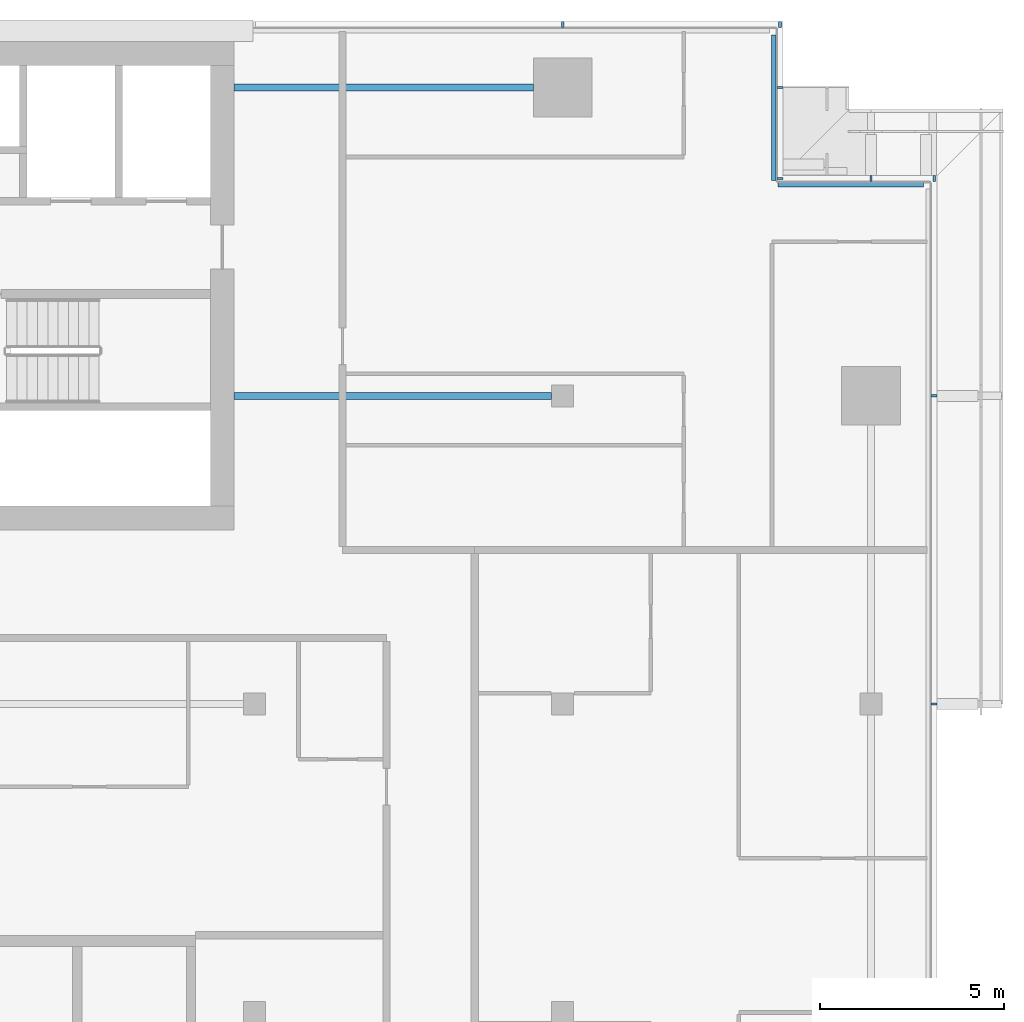
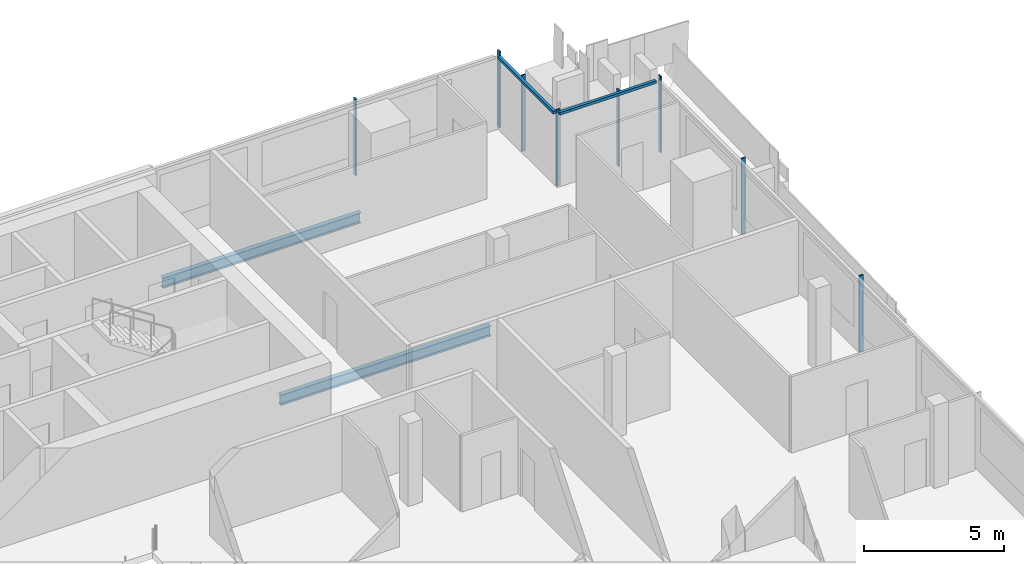
# One storey, part 13 of 30: 10 members, 2 beams, 4 elements without a shape of their own.
"""IFC4 building model written with IfcOpenShell, lengths in metres."""

from ifc_helpers import new_model, si_unit, direction, frame, origin, origin_2d, place, context, subcontext, project, spatial, rectangle, i_section, extrude, material, material_profile, profile_set, type_object, element, aggregate, save


model = new_model("IFC4")

# Units and contexts
model_context = context("Model", 3, precision=1e-05, world=origin(), true_north=direction((0.0, 1.0)))
body_context = subcontext(model_context, "Body", "Model", "MODEL_VIEW")
ifc_project = project(units=[si_unit("LENGTHUNIT", "METRE"), si_unit("AREAUNIT", "SQUARE_METRE"), si_unit("VOLUMEUNIT", "CUBIC_METRE"), si_unit("PLANEANGLEUNIT", "RADIAN"), si_unit("MASSUNIT", "GRAM", prefix="KILO")], contexts=[model_context])

# Site, building, storey
site_placement = place(None, origin())
site = spatial("IfcSite", under=ifc_project, at=site_placement, CompositionType="ELEMENT")
building_placement = place(site_placement, origin())
building = spatial("IfcBuilding", under=site, at=building_placement, Name="Saffron Gate Tower", CompositionType="ELEMENT")
storey_placement = place(building_placement, frame((0.0, 0.0, 245.10009765625)))
storey = spatial("IfcBuildingStorey", under=building, at=storey_placement, Name="L60", CompositionType="ELEMENT", Elevation=245.10009765625)

# Beams
ifc_material_1 = material(Name="Structural steel S355", Category="steel")
ifc_material_profile_1 = material_profile(ifc_material_1, i_section(OverallWidth=0.18994140625, OverallDepth=0.449951171875, WebThickness=0.009521484375, FlangeThickness=0.0146484375, FilletRadius=0.02099609375, at=origin_2d()))
ifc_profile_set_1 = profile_set([ifc_material_profile_1], Name="Structural steel S355")
beam_type = type_object("IfcBeamType", Name="B6 IPE 450", PredefinedType="BEAM", material=ifc_profile_set_1)
beam_1_placement = place(storey_placement, frame((116.699951171875, 65.39990234375, -0.505126953125), z_axis=(-1.0, 0.0, 0.0), x_axis=(0.0, -1.0, 0.0)))
element("IfcBeam", 1, at=beam_1_placement, inside=storey, type_object=beam_type, Name="B6 CORE TIE BEAM", PredefinedType="BEAM", context=body_context, shape_type="SweptSolid", body=[
    extrude(i_section(OverallWidth=0.18994140625, OverallDepth=0.449951171875, WebThickness=0.009521484375, FlangeThickness=0.0146484375, FilletRadius=0.02099609375, at=origin_2d()), origin(), (0.0, 0.0, 1.0), 8.64990234375),
])
beam_2_placement = place(storey_placement, frame((116.199951171875, 73.800048828125, -0.505126953125), z_axis=(-1.0, 0.0, 0.0), x_axis=(0.0, -1.0, 0.0)))
element("IfcBeam", 2, at=beam_2_placement, inside=storey, type_object=beam_type, Name="B6 CORE TIE BEAM", PredefinedType="BEAM", context=body_context, shape_type="SweptSolid", body=[
    extrude(i_section(OverallWidth=0.18994140625, OverallDepth=0.449951171875, WebThickness=0.009521484375, FlangeThickness=0.0146484375, FilletRadius=0.02099609375, at=origin_2d()), origin(), (0.0, 0.0, 1.0), 8.14990234375),
])

# Curtain wall, members
ifc_material_2 = material(Name="Aluminium, bronze anodised", Category="aluminium")
curtain_wall_type_1 = type_object("IfcCurtainWallType", Name="CWS2 curtain wall side facades", PredefinedType="NOTDEFINED", material=ifc_material_2)
curtain_wall_1_placement = place(storey_placement, origin())
curtain_wall_1 = element("IfcCurtainWall", 3, at=curtain_wall_1_placement, inside=storey, type_object=curtain_wall_type_1, Name="CWS2 run 4", PredefinedType="NOTDEFINED")
ifc_material_profile_2 = material_profile(ifc_material_2, rectangle(XDim=0.159912109375, YDim=0.06005859375, at=origin_2d()))
ifc_profile_set_2 = profile_set([ifc_material_profile_2], Name="Aluminium, bronze anodised")
member_type_1 = type_object("IfcMemberType", Name="CWS2 mullion 60x160", PredefinedType="MULLION", material=ifc_profile_set_2)
member_1_placement = place(storey_placement, frame((127.1201171875, 57.0, 0.0), z_axis=(0.0, 0.0, 1.0), x_axis=(-1.0, 0.0, 0.0)))
member_1 = element("IfcMember", 4, at=member_1_placement, type_object=member_type_1, Name="CWS2 mullion 4", PredefinedType="MULLION", context=body_context, shape_type="SweptSolid", body=[
    extrude(rectangle(XDim=0.159912109375, YDim=0.06005859375, at=origin_2d()), origin(), (0.0, 0.0, 1.0), 3.31982421875),
])
member_2_placement = place(storey_placement, frame((127.1201171875, 65.39990234375, 0.0), z_axis=(0.0, 0.0, 1.0), x_axis=(-1.0, 0.0, 0.0)))
member_2 = element("IfcMember", 5, at=member_2_placement, type_object=member_type_1, Name="CWS2 mullion 5", PredefinedType="MULLION", context=body_context, shape_type="SweptSolid", body=[
    extrude(rectangle(XDim=0.159912109375, YDim=0.06005859375, at=origin_2d()), origin(), (0.0, 0.0, 1.0), 3.31982421875),
])
aggregate(curtain_wall_1, [member_1, member_2])

curtain_wall_type_2 = type_object("IfcCurtainWallType", Name="CWS3 curtain wall rear facade", PredefinedType="NOTDEFINED", material=ifc_material_2)
curtain_wall_2_placement = place(storey_placement, origin())
curtain_wall_2 = element("IfcCurtainWall", 6, at=curtain_wall_2_placement, inside=storey, type_object=curtain_wall_type_2, Name="CWS3 run 7", PredefinedType="NOTDEFINED")
ifc_material_profile_3 = material_profile(ifc_material_2, rectangle(XDim=0.159912109375, YDim=0.070068359375, at=origin_2d()))
ifc_profile_set_3 = profile_set([ifc_material_profile_3], Name="Aluminium, bronze anodised")
member_type_2 = type_object("IfcMemberType", Name="CWS3 mullion 70x160", PredefinedType="MULLION", material=ifc_profile_set_3)
member_3_placement = place(storey_placement, frame((122.919921875, 75.52001953125, 0.0), z_axis=(0.0, 0.0, 1.0), x_axis=(0.0, -1.0, 0.0)))
member_3 = element("IfcMember", 7, at=member_3_placement, type_object=member_type_2, Name="CWS3 mullion 1", PredefinedType="MULLION", context=body_context, shape_type="SweptSolid", body=[
    extrude(rectangle(XDim=0.159912109375, YDim=0.070068359375, at=origin_2d()), origin(), (0.0, 0.0, 1.0), 3.31982421875),
])
member_4_placement = place(storey_placement, frame((117.0, 75.52001953125, 0.0), z_axis=(0.0, 0.0, 1.0), x_axis=(0.0, -1.0, 0.0)))
member_4 = element("IfcMember", 8, at=member_4_placement, type_object=member_type_2, Name="CWS3 mullion 2", PredefinedType="MULLION", context=body_context, shape_type="SweptSolid", body=[
    extrude(rectangle(XDim=0.159912109375, YDim=0.070068359375, at=origin_2d()), origin(), (0.0, 0.0, 1.0), 3.31982421875),
])
aggregate(curtain_wall_2, [member_3, member_4])

# Curtain wall, member
curtain_wall_type_3 = type_object("IfcCurtainWallType", Name="CWS4 curtain wall corner returns", PredefinedType="NOTDEFINED", material=ifc_material_2)
curtain_wall_3_placement = place(storey_placement, origin())
curtain_wall_3 = element("IfcCurtainWall", 9, at=curtain_wall_3_placement, inside=storey, type_object=curtain_wall_type_3, Name="CWS4 run 5", PredefinedType="NOTDEFINED")
ifc_material_profile_4 = material_profile(ifc_material_2, rectangle(XDim=0.1201171875, YDim=0.1201171875, at=origin_2d()))
ifc_profile_set_4 = profile_set([ifc_material_profile_4], Name="Aluminium, bronze anodised")
member_type_3 = type_object("IfcMemberType", Name="CWS4 head transom", PredefinedType="USERDEFINED", material=ifc_profile_set_4)
member_5_placement = place(storey_placement, frame((126.83203125, 71.152099609375, 3.260009765625), z_axis=(-1.0, 0.0, 0.0), x_axis=(0.0, -1.0, 0.0)))
member_5 = element("IfcMember", 10, at=member_5_placement, type_object=member_type_3, Name="CWS4 head transom", ObjectType="TRANSOM", PredefinedType="USERDEFINED", context=body_context, shape_type="SweptSolid", body=[
    extrude(rectangle(XDim=0.1201171875, YDim=0.1201171875, at=origin_2d()), origin(), (0.0, 0.0, 1.0), 3.9599609375),
])

curtain_wall_4_placement = place(storey_placement, origin())
curtain_wall_4 = element("IfcCurtainWall", 11, at=curtain_wall_4_placement, inside=storey, type_object=curtain_wall_type_3, Name="CWS4 run 6", PredefinedType="NOTDEFINED")
member_6_placement = place(storey_placement, frame((122.751953125, 71.27197265625, 3.260009765625), z_axis=(0.0, 1.0, 0.0), x_axis=(-1.0, 0.0, 0.0)))
member_6 = element("IfcMember", 12, at=member_6_placement, type_object=member_type_3, Name="CWS4 head transom", ObjectType="TRANSOM", PredefinedType="USERDEFINED", context=body_context, shape_type="SweptSolid", body=[
    extrude(rectangle(XDim=0.1201171875, YDim=0.1201171875, at=origin_2d()), origin(), (0.0, 0.0, 1.0), 3.9599609375),
])

# Member
ifc_material_profile_5 = material_profile(ifc_material_2, rectangle(XDim=0.159912109375, YDim=0.06005859375, at=origin_2d()))
ifc_profile_set_5 = profile_set([ifc_material_profile_5], Name="Aluminium, bronze anodised")
member_type_4 = type_object("IfcMemberType", Name="CWS4 mullion 60x160", PredefinedType="MULLION", material=ifc_profile_set_5)
member_7_placement = place(storey_placement, frame((127.1201171875, 71.320068359375, 0.0), z_axis=(0.0, 0.0, 1.0), x_axis=(0.0, -1.0, 0.0)))
member_7 = element("IfcMember", 13, at=member_7_placement, type_object=member_type_4, Name="CWS4 mullion 1", PredefinedType="MULLION", context=body_context, shape_type="SweptSolid", body=[
    extrude(rectangle(XDim=0.159912109375, YDim=0.06005859375, at=origin_2d()), origin(), (0.0, 0.0, 1.0), 3.31982421875),
])

member_8_placement = place(storey_placement, frame((125.39990234375, 71.320068359375, 0.0), z_axis=(0.0, 0.0, 1.0), x_axis=(0.0, -1.0, 0.0)))
member_8 = element("IfcMember", 14, at=member_8_placement, type_object=member_type_4, Name="CWS4 mullion 2", PredefinedType="MULLION", context=body_context, shape_type="SweptSolid", body=[
    extrude(rectangle(XDim=0.159912109375, YDim=0.06005859375, at=origin_2d()), origin(), (0.0, 0.0, 1.0), 3.31982421875),
])

aggregate(curtain_wall_3, [member_7, member_8, member_5])

member_9_placement = place(storey_placement, frame((122.919921875, 71.320068359375, 0.0), z_axis=(0.0, 0.0, 1.0), x_axis=(-1.0, 0.0, 0.0)))
member_9 = element("IfcMember", 15, at=member_9_placement, type_object=member_type_4, Name="CWS4 mullion 1", PredefinedType="MULLION", context=body_context, shape_type="SweptSolid", body=[
    extrude(rectangle(XDim=0.159912109375, YDim=0.06005859375, at=origin_2d()), origin(), (0.0, 0.0, 1.0), 3.31982421875),
])

member_10_placement = place(storey_placement, frame((122.919921875, 73.800048828125, 0.0), z_axis=(0.0, 0.0, 1.0), x_axis=(-1.0, 0.0, 0.0)))
member_10 = element("IfcMember", 16, at=member_10_placement, type_object=member_type_4, Name="CWS4 mullion 2", PredefinedType="MULLION", context=body_context, shape_type="SweptSolid", body=[
    extrude(rectangle(XDim=0.159912109375, YDim=0.06005859375, at=origin_2d()), origin(), (0.0, 0.0, 1.0), 3.31982421875),
])

aggregate(curtain_wall_4, [member_9, member_10, member_6])

save(model, "model.ifc")
